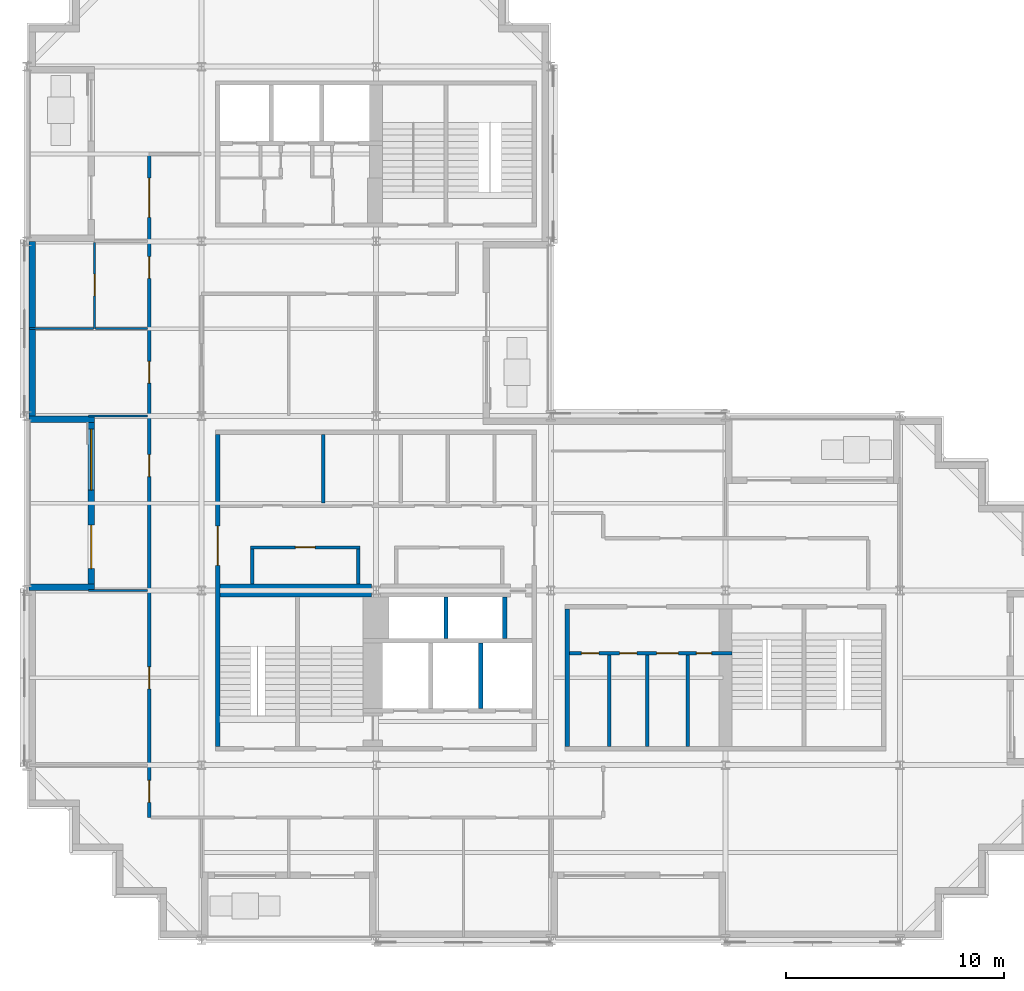
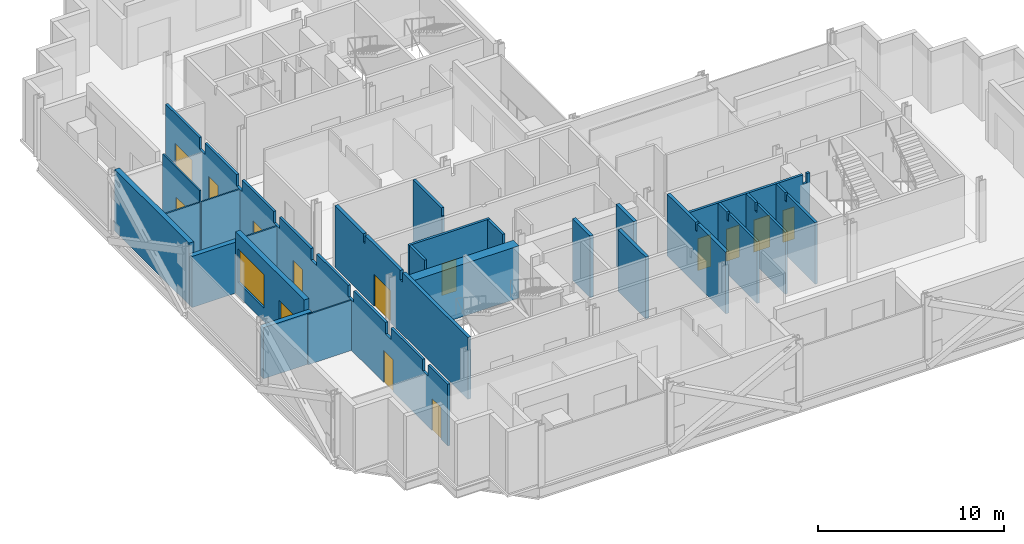
# One storey, part 5 of 12: 24 walls, 14 doors, 1 window, 15 openings.
"""IFC4 building model written with IfcOpenShell, lengths in metres."""

from ifc_helpers import new_model, si_unit, direction, frame, frame_2d, origin, place, context, subcontext, project, spatial, polyline, rectangle, outline, extrude, material, layer, layer_set, type_object, element, fill, save


model = new_model("IFC4")

# Units and contexts
model_context = context("Model", 3, precision=1e-05, world=origin(), true_north=direction((0.0, 1.0)))
body_context = subcontext(model_context, "Body", "Model", "MODEL_VIEW")
ifc_project = project(units=[si_unit("LENGTHUNIT", "METRE"), si_unit("AREAUNIT", "SQUARE_METRE"), si_unit("VOLUMEUNIT", "CUBIC_METRE"), si_unit("PLANEANGLEUNIT", "RADIAN"), si_unit("MASSUNIT", "GRAM", prefix="KILO")], contexts=[model_context])

# Site, building, storey
site_placement = place(None, origin())
site = spatial("IfcSite", under=ifc_project, at=site_placement, CompositionType="ELEMENT")
building_placement = place(site_placement, origin())
building = spatial("IfcBuilding", under=site, at=building_placement, Name="Immortelle Media Tower", CompositionType="ELEMENT")
storey_placement = place(building_placement, frame((0.0, 0.0, 124.199951171875)))
storey = spatial("IfcBuildingStorey", under=building, at=storey_placement, Name="L24", CompositionType="ELEMENT", Elevation=124.199951171875)

# Wall
ifc_material_1 = material(Name="Fire-rated gypsum board", Category="gypsum")
ifc_layer_1 = layer(ifc_material_1, 0.02490234375)
ifc_material_2 = material(Name="Steel ASTM A653 SS Gr 50 stud frame with mineral wool", Category="steel")
ifc_layer_2 = layer(ifc_material_2, 0.10009765625)
ifc_layer_3 = layer(ifc_material_1, 0.02490234375)
ifc_layer_set_1 = layer_set([ifc_layer_1, ifc_layer_2, ifc_layer_3], Name="Steel ASTM A653 SS Gr 50 stud frame with mineral wool")
wall_type_1 = type_object("IfcWallType", Name="Core partition 150", PredefinedType="PARTITIONING", material=ifc_layer_set_1)
wall_1_placement = place(storey_placement, frame((10.324951171875, 16.300048828125, 0.0), z_axis=(0.0, 0.0, 1.0), x_axis=(0.0, 1.0, 0.0)))
element("IfcWall", 1, at=wall_1_placement, inside=storey, type_object=wall_type_1, Name="Core partition SW", PredefinedType="PARTITIONING", context=body_context, shape_type="SweptSolid", body=[
    extrude(rectangle(XDim=1.599853515625, YDim=0.14990234375, at=frame_2d((0.7998046875, 0.0))), origin(), (0.0, 0.0, 1.0), 4.050048828125),
])

# Wall, opening, door
wall_2_placement = place(storey_placement, frame((10.25, 17.97509765625, 0.0), z_axis=(0.0, 0.0, 1.0), x_axis=(1.0, 0.0, 0.0)))
wall_2 = element("IfcWall", 2, at=wall_2_placement, inside=storey, type_object=wall_type_1, Name="Core partition SW", PredefinedType="PARTITIONING", context=body_context, shape_type="SweptSolid", body=[
    extrude(rectangle(XDim=5.0, YDim=0.14990234375, at=frame_2d((2.5, 0.0))), origin(), (0.0, 0.0, 1.0), 4.050048828125),
])
opening_1_placement = place(wall_2_placement, frame((2.949951171875, 0.0, 0.0), z_axis=(0.0, 0.0, 1.0), x_axis=(-1.0, 0.0, 0.0)))
opening_1 = element("IfcOpeningElement", 3, at=opening_1_placement, cuts=wall_2, Name="Opening C1-K004", PredefinedType="OPENING", context=body_context, shape_type="SweptSolid", body=[
    extrude(rectangle(XDim=0.89990234375, YDim=2.10009765625, at=frame_2d((0.449951171875, 1.050048828125))), frame((0.0, 0.0849609375, 0.0), z_axis=(0.0, -1.0, 0.0), x_axis=(1.0, 0.0, 0.0)), (0.0, 0.0, 1.0), 0.169921875),
])
ifc_material_3 = material(Name="Timber", Category="wood")
door_type_1 = type_object("IfcDoorType", Name="Room door 900 x 2100", OperationType="NOTDEFINED", PredefinedType="NOTDEFINED", material=ifc_material_3)
door_1_placement = place(opening_1_placement, origin())
door_1 = element("IfcDoor", 4, at=door_1_placement, inside=storey, type_object=door_type_1, Name="Room C1-K004", OperationType="SINGLE_SWING_LEFT", OverallHeight=2.10009765625, OverallWidth=0.89990234375, PredefinedType="NOTDEFINED", context=body_context, shape_type="SweptSolid", body=[
    extrude(rectangle(XDim=0.89990234375, YDim=2.10009765625, at=frame_2d((0.449951171875, 1.050048828125))), frame((0.0, 0.02490234375, 0.0), z_axis=(0.0, -1.0, 0.0), x_axis=(1.0, 0.0, 0.0)), (0.0, 0.0, 1.0), 0.050048828125),
])
fill(opening_1, door_1)

# Walls
wall_3_placement = place(storey_placement, frame((13.574951171875, 20.0, 0.0), z_axis=(0.0, 0.0, 1.0), x_axis=(0.0, 1.0, 0.0)))
element("IfcWall", 5, at=wall_3_placement, inside=storey, type_object=wall_type_1, Name="Core partition SW", PredefinedType="PARTITIONING", context=body_context, shape_type="SweptSolid", body=[
    extrude(outline(polyline([(0.0, 0.0), (3.14990234375, 0.0), (3.14990234375, 4.050048828125), (0.08740234375, 4.050048828125), (0.08642578125, 3.51806640625), (0.0, 3.51806640625), (0.0, 0.0)])), frame((0.0, 0.074951171875, 0.0), z_axis=(0.0, -1.0, 0.0), x_axis=(1.0, 0.0, 0.0)), (0.0, 0.0, 1.0), 0.14990234375),
])
wall_4_placement = place(storey_placement, frame((15.175048828125, 16.300048828125, 0.0), z_axis=(0.0, 0.0, 1.0), x_axis=(0.0, 1.0, 0.0)))
element("IfcWall", 6, at=wall_4_placement, inside=storey, type_object=wall_type_1, Name="Core partition SW", PredefinedType="PARTITIONING", context=body_context, shape_type="SweptSolid", body=[
    extrude(rectangle(XDim=1.599853515625, YDim=0.14990234375, at=frame_2d((0.7998046875, 0.0))), origin(), (0.0, 0.0, 1.0), 4.050048828125),
])

# Wall, openings, doors
wall_5_placement = place(storey_placement, frame((24.85009765625, 13.125, 0.0), z_axis=(0.0, 0.0, 1.0), x_axis=(1.0, 0.0, 0.0)))
wall_5 = element("IfcWall", 7, at=wall_5_placement, inside=storey, type_object=wall_type_1, Name="Core partition SE", PredefinedType="PARTITIONING", context=body_context, shape_type="SweptSolid", body=[
    extrude(outline(polyline([(0.0, 0.0), (7.449951171875, 0.0), (7.449951171875, 4.050048828125), (7.26953125, 4.050048828125), (7.2685546875, 3.43212890625), (7.031494140625, 3.43212890625), (7.030517578125, 4.050048828125), (0.0, 4.050048828125), (0.0, 0.0)])), frame((0.0, 0.074951171875, 0.0), z_axis=(0.0, -1.0, 0.0), x_axis=(1.0, 0.0, 0.0)), (0.0, 0.0, 1.0), 0.14990234375),
])
opening_2_placement = place(wall_5_placement, frame((1.35009765625, 0.0, 0.0), z_axis=(0.0, 0.0, 1.0), x_axis=(-1.0, 0.0, 0.0)))
opening_2 = element("IfcOpeningElement", 8, at=opening_2_placement, cuts=wall_5, Name="Opening C1-K018", PredefinedType="OPENING", context=body_context, shape_type="SweptSolid", body=[
    extrude(rectangle(XDim=0.800048828125, YDim=2.10009765625, at=frame_2d((0.39990234375, 1.050048828125))), frame((0.0, 0.0849609375, 0.0), z_axis=(0.0, -1.0, 0.0), x_axis=(1.0, 0.0, 0.0)), (0.0, 0.0, 1.0), 0.169921875),
])
opening_3_placement = place(wall_5_placement, frame((3.10009765625, 0.0, 0.0), z_axis=(0.0, 0.0, 1.0), x_axis=(-1.0, 0.0, 0.0)))
opening_3 = element("IfcOpeningElement", 9, at=opening_3_placement, cuts=wall_5, Name="Opening C1-K019", PredefinedType="OPENING", context=body_context, shape_type="SweptSolid", body=[
    extrude(rectangle(XDim=0.800048828125, YDim=2.10009765625, at=frame_2d((0.39990234375, 1.050048828125))), frame((0.0, 0.0849609375, 0.0), z_axis=(0.0, -1.0, 0.0), x_axis=(1.0, 0.0, 0.0)), (0.0, 0.0, 1.0), 0.169921875),
])
opening_4_placement = place(wall_5_placement, frame((5.0, 0.0, 0.0), z_axis=(0.0, 0.0, 1.0), x_axis=(-1.0, 0.0, 0.0)))
opening_4 = element("IfcOpeningElement", 10, at=opening_4_placement, cuts=wall_5, Name="Opening C1-K021", PredefinedType="OPENING", context=body_context, shape_type="SweptSolid", body=[
    extrude(rectangle(XDim=1.0, YDim=2.10009765625, at=frame_2d((0.5, 1.050048828125))), frame((0.0, 0.0849609375, 0.0), z_axis=(0.0, -1.0, 0.0), x_axis=(1.0, 0.0, 0.0)), (0.0, 0.0, 1.0), 0.169921875),
])
opening_5_placement = place(wall_5_placement, frame((6.52490234375, 0.0, 0.0), z_axis=(0.0, 0.0, 1.0), x_axis=(-1.0, 0.0, 0.0)))
opening_5 = element("IfcOpeningElement", 11, at=opening_5_placement, cuts=wall_5, Name="Opening C1-K022", PredefinedType="OPENING", context=body_context, shape_type="SweptSolid", body=[
    extrude(rectangle(XDim=0.699951171875, YDim=2.10009765625, at=frame_2d((0.35009765625, 1.050048828125))), frame((0.0, 0.0849609375, 0.0), z_axis=(0.0, -1.0, 0.0), x_axis=(1.0, 0.0, 0.0)), (0.0, 0.0, 1.0), 0.169921875),
])
door_type_2 = type_object("IfcDoorType", Name="Accessible toilet door 1000 x 2100", OperationType="NOTDEFINED", PredefinedType="NOTDEFINED", material=ifc_material_3)
door_2_placement = place(opening_4_placement, origin())
door_2 = element("IfcDoor", 12, at=door_2_placement, inside=storey, type_object=door_type_2, Name="Accessible toilet C1-K021", OperationType="SINGLE_SWING_LEFT", OverallHeight=2.10009765625, OverallWidth=1.0, PredefinedType="NOTDEFINED", context=body_context, shape_type="SweptSolid", body=[
    extrude(rectangle(XDim=1.0, YDim=2.10009765625, at=frame_2d((0.5, 1.050048828125))), frame((0.0, 0.02490234375, 0.0), z_axis=(0.0, -1.0, 0.0), x_axis=(1.0, 0.0, 0.0)), (0.0, 0.0, 1.0), 0.050048828125),
])
fill(opening_4, door_2)
ifc_material_4 = material(Name="Galvanised steel door leaf and frame ASTM A653", Category="steel")
door_type_3 = type_object("IfcDoorType", Name="Service door 700 x 2100", OperationType="NOTDEFINED", PredefinedType="NOTDEFINED", material=ifc_material_4)
door_3_placement = place(opening_5_placement, origin())
door_3 = element("IfcDoor", 13, at=door_3_placement, inside=storey, type_object=door_type_3, Name="Service C1-K022", OperationType="SINGLE_SWING_RIGHT", OverallHeight=2.10009765625, OverallWidth=0.699951171875, PredefinedType="NOTDEFINED", context=body_context, shape_type="SweptSolid", body=[
    extrude(rectangle(XDim=0.699951171875, YDim=2.10009765625, at=frame_2d((0.35009765625, 1.050048828125))), frame((0.0, 0.02490234375, 0.0), z_axis=(0.0, -1.0, 0.0), x_axis=(1.0, 0.0, 0.0)), (0.0, 0.0, 1.0), 0.050048828125),
])
fill(opening_5, door_3)
door_type_4 = type_object("IfcDoorType", Name="Toilet door 800 x 2100", OperationType="NOTDEFINED", PredefinedType="NOTDEFINED", material=ifc_material_3)
door_4_placement = place(opening_2_placement, origin())
door_4 = element("IfcDoor", 14, at=door_4_placement, inside=storey, type_object=door_type_4, Name="Toilet C1-K018", OperationType="SINGLE_SWING_LEFT", OverallHeight=2.10009765625, OverallWidth=0.800048828125, PredefinedType="NOTDEFINED", context=body_context, shape_type="SweptSolid", body=[
    extrude(rectangle(XDim=0.800048828125, YDim=2.10009765625, at=frame_2d((0.39990234375, 1.050048828125))), frame((0.0, 0.02490234375, 0.0), z_axis=(0.0, -1.0, 0.0), x_axis=(1.0, 0.0, 0.0)), (0.0, 0.0, 1.0), 0.050048828125),
])
fill(opening_2, door_4)
door_5_placement = place(opening_3_placement, origin())
door_5 = element("IfcDoor", 15, at=door_5_placement, inside=storey, type_object=door_type_4, Name="Toilet C1-K019", OperationType="SINGLE_SWING_RIGHT", OverallHeight=2.10009765625, OverallWidth=0.800048828125, PredefinedType="NOTDEFINED", context=body_context, shape_type="SweptSolid", body=[
    extrude(rectangle(XDim=0.800048828125, YDim=2.10009765625, at=frame_2d((0.39990234375, 1.050048828125))), frame((0.0, 0.02490234375, 0.0), z_axis=(0.0, -1.0, 0.0), x_axis=(1.0, 0.0, 0.0)), (0.0, 0.0, 1.0), 0.050048828125),
])
fill(opening_3, door_5)

# Walls
for number, where, z_axis, x_axis, name in (
    (16, (26.675048828125, 8.85009765625, 0.0), (0.0, 0.0, 1.0), (0.0, 1.0, 0.0), "Core partition SE"),
    (17, (28.425048828125, 8.85009765625, 0.0), (0.0, 0.0, 1.0), (0.0, 1.0, 0.0), "Core partition SE"),
    (18, (30.27490234375, 8.85009765625, 0.0), (0.0, 0.0, 1.0), (0.0, 1.0, 0.0), "Core partition SE"),
):
    element("IfcWall", number, at=place(storey_placement, frame(where, z_axis=z_axis, x_axis=x_axis)), inside=storey, type_object=wall_type_1, Name=name, PredefinedType="PARTITIONING", context=body_context, shape_type="SweptSolid", body=[
        extrude(outline(polyline([(0.0, 0.0), (4.199951171875, 0.0), (4.199951171875, 4.050048828125), (3.237548828125, 4.050048828125), (3.236572265625, 3.51806640625), (3.0634765625, 3.51806640625), (3.0625, 4.050048828125), (0.0, 4.050048828125), (0.0, 0.0)])), frame((0.0, 0.074951171875, 0.0), z_axis=(0.0, -1.0, 0.0), x_axis=(1.0, 0.0, 0.0)), (0.0, 0.0, 1.0), 0.14990234375),
    ])
ifc_layer_4 = layer(ifc_material_1, 0.03759765625)
ifc_layer_5 = layer(ifc_material_2, 0.125)
ifc_layer_6 = layer(ifc_material_1, 0.03759765625)
ifc_layer_set_2 = layer_set([ifc_layer_4, ifc_layer_5, ifc_layer_6], Name="Steel ASTM A653 SS Gr 50 stud frame with mineral wool")
wall_type_2 = type_object("IfcWallType", Name="Core shaft wall 200", PredefinedType="PARTITIONING", material=ifc_layer_set_2)
wall_6_placement = place(storey_placement, frame((19.199951171875, 13.800048828125, 0.0), z_axis=(0.0, 0.0, 1.0), x_axis=(0.0, 1.0, 0.0)))
element("IfcWall", 19, at=wall_6_placement, inside=storey, type_object=wall_type_2, Name="Core shaft wall SW", PredefinedType="PARTITIONING", context=body_context, shape_type="SweptSolid", body=[
    extrude(rectangle(XDim=1.89990234375, YDim=0.199951171875, at=frame_2d((0.949951171875, 0.0))), origin(), (0.0, 0.0, 1.0), 4.050048828125),
])
wall_7_placement = place(storey_placement, frame((20.800048828125, 10.60009765625, 0.0), z_axis=(0.0, 0.0, 1.0), x_axis=(0.0, 1.0, 0.0)))
element("IfcWall", 20, at=wall_7_placement, inside=storey, type_object=wall_type_2, Name="Core shaft wall SW", PredefinedType="PARTITIONING", context=body_context, shape_type="SweptSolid", body=[
    extrude(rectangle(XDim=3.0, YDim=0.199951171875, at=frame_2d((1.5, 0.0))), origin(), (0.0, 0.0, 1.0), 4.050048828125),
])
wall_8_placement = place(storey_placement, frame((21.89990234375, 13.800048828125, 0.0), z_axis=(0.0, 0.0, 1.0), x_axis=(0.0, 1.0, 0.0)))
element("IfcWall", 21, at=wall_8_placement, inside=storey, type_object=wall_type_2, Name="Core shaft wall SW", PredefinedType="PARTITIONING", context=body_context, shape_type="SweptSolid", body=[
    extrude(rectangle(XDim=1.89990234375, YDim=0.199951171875, at=frame_2d((0.949951171875, 0.0))), origin(), (0.0, 0.0, 1.0), 4.050048828125),
])
wall_9_placement = place(storey_placement, frame((24.75, 8.85009765625, 0.0), z_axis=(0.0, 0.0, 1.0), x_axis=(0.0, 1.0, 0.0)))
element("IfcWall", 22, at=wall_9_placement, inside=storey, type_object=wall_type_2, Name="Core shaft wall SE", PredefinedType="PARTITIONING", context=body_context, shape_type="SweptSolid", body=[
    extrude(outline(polyline([(0.0, 0.0), (6.2998046875, 0.0), (6.300048828125, 4.050048828125), (3.237548828125, 4.050048828125), (3.236572265625, 3.51806640625), (3.0634765625, 3.51806640625), (3.0625, 4.050048828125), (0.0, 4.050048828125), (0.0, 0.0)])), frame((0.0, 0.10009765625, 0.0), z_axis=(0.0, -1.0, 0.0), x_axis=(1.0, 0.0, 0.0)), (0.0, 0.0, 1.0), 0.199951171875),
])

# Wall, openings, doors
ifc_layer_7 = layer(ifc_material_1, 0.012451171875)
ifc_layer_8 = layer(ifc_material_2, 0.125)
ifc_layer_9 = layer(ifc_material_1, 0.012451171875)
ifc_layer_set_3 = layer_set([ifc_layer_7, ifc_layer_8, ifc_layer_9], Name="Steel ASTM A653 SS Gr 50 stud frame with mineral wool")
wall_type_3 = type_object("IfcWallType", Name="Corridor wall 150", PredefinedType="PARTITIONING", material=ifc_layer_set_3)
wall_10_placement = place(storey_placement, frame((5.60009765625, 5.60009765625, 0.0), z_axis=(0.0, 0.0, 1.0), x_axis=(0.0, 1.0, 0.0)))
wall_10 = element("IfcWall", 23, at=wall_10_placement, inside=storey, type_object=wall_type_3, Name="Partition L24-007", PredefinedType="PARTITIONING", context=body_context, shape_type="SweptSolid", body=[
    extrude(outline(polyline([(0.0, 0.0), (30.324951171875, 0.0), (30.324951171875, 4.050048828125), (26.699951171875, 4.050048828125), (26.697998046875, 3.2880859375), (26.10205078125, 3.2880859375), (26.10009765625, 4.050048828125), (22.699951171875, 4.050048828125), (22.697998046875, 3.2880859375), (22.10205078125, 3.2880859375), (22.10009765625, 4.050048828125), (18.699951171875, 4.050048828125), (18.697998046875, 3.2880859375), (18.10205078125, 3.2880859375), (18.10009765625, 4.050048828125), (14.699951171875, 4.050048828125), (14.697998046875, 3.2880859375), (14.10205078125, 3.2880859375), (14.10009765625, 4.050048828125), (10.699951171875, 4.050048828125), (10.697998046875, 3.2880859375), (10.10205078125, 3.2880859375), (10.10009765625, 4.050048828125), (6.699951171875, 4.050048828125), (6.697998046875, 3.2880859375), (6.10205078125, 3.2880859375), (6.10009765625, 4.050048828125), (2.699951171875, 4.050048828125), (2.697998046875, 3.2880859375), (2.10205078125, 3.2880859375), (2.10009765625, 4.050048828125), (0.0, 4.050048828125), (0.0, 0.0)])), frame((0.0, 0.074951171875, 0.0), z_axis=(0.0, -1.0, 0.0), x_axis=(1.0, 0.0, 0.0)), (0.0, 0.0, 1.0), 0.14990234375),
])
opening_6_placement = place(wall_10_placement, frame((0.699951171875, 0.0, 0.0)))
opening_6 = element("IfcOpeningElement", 24, at=opening_6_placement, cuts=wall_10, Name="Opening C1-F005", PredefinedType="OPENING", context=body_context, shape_type="SweptSolid", body=[
    extrude(rectangle(XDim=1.0, YDim=2.10009765625, at=frame_2d((0.5, 1.050048828125))), frame((0.0, 0.0849609375, 0.0), z_axis=(0.0, -1.0, 0.0), x_axis=(1.0, 0.0, 0.0)), (0.0, 0.0, 1.0), 0.169921875),
])
opening_7_placement = place(wall_10_placement, frame((6.89990234375, 0.0, 0.0), z_axis=(0.0, 0.0, 1.0), x_axis=(-1.0, 0.0, 0.0)))
opening_7 = element("IfcOpeningElement", 25, at=opening_7_placement, cuts=wall_10, Name="Opening C1-F007", PredefinedType="OPENING", context=body_context, shape_type="SweptSolid", body=[
    extrude(rectangle(XDim=1.0, YDim=2.10009765625, at=frame_2d((0.5, 1.050048828125))), frame((0.0, 0.0849609375, 0.0), z_axis=(0.0, -1.0, 0.0), x_axis=(1.0, 0.0, 0.0)), (0.0, 0.0, 1.0), 0.169921875),
])
opening_8_placement = place(wall_10_placement, frame((15.625, 0.0, 0.0)))
opening_8 = element("IfcOpeningElement", 26, at=opening_8_placement, cuts=wall_10, Name="Opening C1-F009", PredefinedType="OPENING", context=body_context, shape_type="SweptSolid", body=[
    extrude(rectangle(XDim=1.0, YDim=2.10009765625, at=frame_2d((0.5, 1.050048828125))), frame((0.0, 0.0849609375, 0.0), z_axis=(0.0, -1.0, 0.0), x_axis=(1.0, 0.0, 0.0)), (0.0, 0.0, 1.0), 0.169921875),
])
opening_9_placement = place(wall_10_placement, frame((19.89990234375, 0.0, 0.0)))
opening_9 = element("IfcOpeningElement", 27, at=opening_9_placement, cuts=wall_10, Name="Opening C1-F015", PredefinedType="OPENING", context=body_context, shape_type="SweptSolid", body=[
    extrude(rectangle(XDim=1.0, YDim=2.10009765625, at=frame_2d((0.5, 1.050048828125))), frame((0.0, 0.0849609375, 0.0), z_axis=(0.0, -1.0, 0.0), x_axis=(1.0, 0.0, 0.0)), (0.0, 0.0, 1.0), 0.169921875),
])
opening_10_placement = place(wall_10_placement, frame((24.699951171875, 0.0, 0.0)))
opening_10 = element("IfcOpeningElement", 28, at=opening_10_placement, cuts=wall_10, Name="Opening C1-F016", PredefinedType="OPENING", context=body_context, shape_type="SweptSolid", body=[
    extrude(rectangle(XDim=1.0, YDim=2.10009765625, at=frame_2d((0.5, 1.050048828125))), frame((0.0, 0.0849609375, 0.0), z_axis=(0.0, -1.0, 0.0), x_axis=(1.0, 0.0, 0.0)), (0.0, 0.0, 1.0), 0.169921875),
])
opening_11_placement = place(wall_10_placement, frame((27.5, 0.0, 0.0)))
opening_11 = element("IfcOpeningElement", 29, at=opening_11_placement, cuts=wall_10, Name="Opening C1-F018", PredefinedType="OPENING", context=body_context, shape_type="SweptSolid", body=[
    extrude(rectangle(XDim=1.800048828125, YDim=2.10009765625, at=frame_2d((0.89990234375, 1.050048828125))), frame((0.0, 0.0849609375, 0.0), z_axis=(0.0, -1.0, 0.0), x_axis=(1.0, 0.0, 0.0)), (0.0, 0.0, 1.0), 0.169921875),
])
ifc_material_5 = material(Name="Timber veneered door leaf, galvanised steel frame ASTM A653", Category="steel")
door_type_5 = type_object("IfcDoorType", Name="Room door 1000 x 2100", OperationType="NOTDEFINED", PredefinedType="DOOR", material=ifc_material_5)
door_6_placement = place(opening_6_placement, origin())
door_6 = element("IfcDoor", 30, at=door_6_placement, inside=storey, type_object=door_type_5, Name="Door C1-F005", OperationType="SINGLE_SWING_RIGHT", OverallHeight=2.10009765625, OverallWidth=1.0, PredefinedType="DOOR", context=body_context, shape_type="SweptSolid", body=[
    extrude(rectangle(XDim=1.0, YDim=2.10009765625, at=frame_2d((0.5, 1.050048828125))), frame((0.0, 0.02490234375, 0.0), z_axis=(0.0, -1.0, 0.0), x_axis=(1.0, 0.0, 0.0)), (0.0, 0.0, 1.0), 0.050048828125),
])
fill(opening_6, door_6)
door_7_placement = place(opening_7_placement, origin())
door_7 = element("IfcDoor", 31, at=door_7_placement, inside=storey, type_object=door_type_5, Name="Door C1-F007", OperationType="SINGLE_SWING_RIGHT", OverallHeight=2.10009765625, OverallWidth=1.0, PredefinedType="DOOR", context=body_context, shape_type="SweptSolid", body=[
    extrude(rectangle(XDim=1.0, YDim=2.10009765625, at=frame_2d((0.5, 1.050048828125))), frame((0.0, 0.02490234375, 0.0), z_axis=(0.0, -1.0, 0.0), x_axis=(1.0, 0.0, 0.0)), (0.0, 0.0, 1.0), 0.050048828125),
])
fill(opening_7, door_7)
door_8_placement = place(opening_8_placement, origin())
door_8 = element("IfcDoor", 32, at=door_8_placement, inside=storey, type_object=door_type_5, Name="Door C1-F009", OperationType="SINGLE_SWING_RIGHT", OverallHeight=2.10009765625, OverallWidth=1.0, PredefinedType="DOOR", context=body_context, shape_type="SweptSolid", body=[
    extrude(rectangle(XDim=1.0, YDim=2.10009765625, at=frame_2d((0.5, 1.050048828125))), frame((0.0, 0.02490234375, 0.0), z_axis=(0.0, -1.0, 0.0), x_axis=(1.0, 0.0, 0.0)), (0.0, 0.0, 1.0), 0.050048828125),
])
fill(opening_8, door_8)
door_9_placement = place(opening_9_placement, origin())
door_9 = element("IfcDoor", 33, at=door_9_placement, inside=storey, type_object=door_type_5, Name="Door C1-F015", OperationType="SINGLE_SWING_LEFT", OverallHeight=2.10009765625, OverallWidth=1.0, PredefinedType="DOOR", context=body_context, shape_type="SweptSolid", body=[
    extrude(rectangle(XDim=1.0, YDim=2.10009765625, at=frame_2d((0.5, 1.050048828125))), frame((0.0, 0.02490234375, 0.0), z_axis=(0.0, -1.0, 0.0), x_axis=(1.0, 0.0, 0.0)), (0.0, 0.0, 1.0), 0.050048828125),
])
fill(opening_9, door_9)
door_10_placement = place(opening_10_placement, origin())
door_10 = element("IfcDoor", 34, at=door_10_placement, inside=storey, type_object=door_type_5, Name="Door C1-F016", OperationType="SINGLE_SWING_RIGHT", OverallHeight=2.10009765625, OverallWidth=1.0, PredefinedType="DOOR", context=body_context, shape_type="SweptSolid", body=[
    extrude(rectangle(XDim=1.0, YDim=2.10009765625, at=frame_2d((0.5, 1.050048828125))), frame((0.0, 0.02490234375, 0.0), z_axis=(0.0, -1.0, 0.0), x_axis=(1.0, 0.0, 0.0)), (0.0, 0.0, 1.0), 0.050048828125),
])
fill(opening_10, door_10)
door_type_6 = type_object("IfcDoorType", Name="Room door 1800 x 2100", OperationType="DOUBLE_DOOR_SINGLE_SWING", PredefinedType="DOOR", material=ifc_material_5)
door_11_placement = place(opening_11_placement, origin())
door_11 = element("IfcDoor", 35, at=door_11_placement, inside=storey, type_object=door_type_6, Name="Door C1-F018", OperationType="DOUBLE_DOOR_SINGLE_SWING", OverallHeight=2.10009765625, OverallWidth=1.800048828125, PredefinedType="DOOR", context=body_context, shape_type="SweptSolid", body=[
    extrude(rectangle(XDim=1.800048828125, YDim=2.10009765625, at=frame_2d((0.89990234375, 1.050048828125))), frame((0.0, 0.02490234375, 0.0), z_axis=(0.0, -1.0, 0.0), x_axis=(1.0, 0.0, 0.0)), (0.0, 0.0, 1.0), 0.050048828125),
])
fill(opening_11, door_11)

# Wall
ifc_material_6 = material(Name="Pale aluminium cladding panel", Category="aluminium")
ifc_layer_10 = layer(ifc_material_6, 0.030029296875)
ifc_layer_11 = layer(ifc_material_2, 0.257568359375)
ifc_material_7 = material(Name="Moisture-resistant gypsum board", Category="gypsum")
ifc_layer_12 = layer(ifc_material_7, 0.012451171875)
ifc_layer_set_4 = layer_set([ifc_layer_10, ifc_layer_11, ifc_layer_12], Name="Steel ASTM A653 SS Gr 50 stud frame with mineral wool")
wall_type_4 = type_object("IfcWallType", Name="Facade wall 300", PredefinedType="SOLIDWALL", material=ifc_layer_set_4)
wall_11_placement = place(storey_placement, frame((0.25, 32.0, 0.0), z_axis=(0.0, 0.0, 1.0), x_axis=(0.0, -1.0, 0.0)))
element("IfcWall", 36, at=wall_11_placement, inside=storey, type_object=wall_type_4, Name="Facade wall L24 W35", PredefinedType="SOLIDWALL", context=body_context, shape_type="SweptSolid", body=[
    extrude(rectangle(XDim=8.0, YDim=0.300048828125, at=frame_2d((4.0, 0.0))), origin(), (0.0, 0.0, 1.0), 4.050048828125),
])

# Wall, openings, door, window
wall_12_placement = place(storey_placement, frame((2.949951171875, 23.699951171875, 0.0), z_axis=(0.0, 0.0, 1.0), x_axis=(0.0, -1.0, 0.0)))
wall_12 = element("IfcWall", 37, at=wall_12_placement, inside=storey, type_object=wall_type_4, Name="Loggia wall L24 W35", PredefinedType="SOLIDWALL", context=body_context, shape_type="SweptSolid", body=[
    extrude(rectangle(XDim=7.39990234375, YDim=0.300048828125, at=frame_2d((3.699951171875, 0.0))), origin(), (0.0, 0.0, 1.0), 4.050048828125),
])
opening_12_placement = place(wall_12_placement, frame((0.300048828125, 0.0, 0.89990234375)))
opening_12 = element("IfcOpeningElement", 38, at=opening_12_placement, cuts=wall_12, Name="Opening W1", PredefinedType="OPENING", context=body_context, shape_type="SweptSolid", body=[
    extrude(rectangle(XDim=2.800048828125, YDim=2.199951171875, at=frame_2d((1.39990234375, 1.10009765625))), frame((0.0, 0.159912109375, 0.0), z_axis=(0.0, -1.0, 0.0), x_axis=(1.0, 0.0, 0.0)), (0.0, 0.0, 1.0), 0.320068359375),
])
opening_13_placement = place(wall_12_placement, frame((4.699951171875, 0.0, 0.0)))
opening_13 = element("IfcOpeningElement", 39, at=opening_13_placement, cuts=wall_12, Name="Opening C1-E008", PredefinedType="OPENING", context=body_context, shape_type="SweptSolid", body=[
    extrude(rectangle(XDim=2.0, YDim=2.39990234375, at=frame_2d((1.0, 1.199951171875))), frame((0.0, 0.159912109375, 0.0), z_axis=(0.0, -1.0, 0.0), x_axis=(1.0, 0.0, 0.0)), (0.0, 0.0, 1.0), 0.320068359375),
])
ifc_material_8 = material(Name="Aluminium frame, glazed leaves", Category="aluminium")
door_type_7 = type_object("IfcDoorType", Name="Loggia door 2000 x 2400", OperationType="DOUBLE_DOOR_SINGLE_SWING", PredefinedType="DOOR", material=ifc_material_8)
door_12_placement = place(opening_13_placement, origin())
door_12 = element("IfcDoor", 40, at=door_12_placement, inside=storey, type_object=door_type_7, Name="Door C1-E008", OperationType="DOUBLE_DOOR_SINGLE_SWING", OverallHeight=2.39990234375, OverallWidth=2.0, PredefinedType="DOOR", context=body_context, shape_type="SweptSolid", body=[
    extrude(rectangle(XDim=2.0, YDim=2.39990234375, at=frame_2d((1.0, 1.199951171875))), frame((0.0, 0.02490234375, 0.0), z_axis=(0.0, -1.0, 0.0), x_axis=(1.0, 0.0, 0.0)), (0.0, 0.0, 1.0), 0.050048828125),
])
fill(opening_13, door_12)
ifc_material_9 = material(Name="Aluminium frame", Category="aluminium")
window_type = type_object("IfcWindowType", Name="Window 2800 x 2200", PartitioningType="SINGLE_PANEL", PredefinedType="WINDOW", material=ifc_material_9)
window_placement = place(opening_12_placement, origin())
window = element("IfcWindow", 41, at=window_placement, inside=storey, type_object=window_type, Name="Window L24 L24-R35-B2", OverallHeight=2.199951171875, OverallWidth=2.800048828125, PartitioningType="SINGLE_PANEL", PredefinedType="WINDOW", context=body_context, shape_type="SweptSolid", body=[
    extrude(rectangle(XDim=2.800048828125, YDim=2.199951171875, at=frame_2d((1.39990234375, 1.10009765625))), frame((0.0, 0.030029296875, 0.0), z_axis=(0.0, -1.0, 0.0), x_axis=(1.0, 0.0, 0.0)), (0.0, 0.0, 1.0), 0.06005859375),
])
fill(opening_12, window)

# Walls
for number, where, z_axis, x_axis, name in (
    (42, (0.10009765625, 23.85009765625, 0.0), (0.0, 0.0, 1.0), (1.0, 0.0, 0.0), "Loggia cheek wall L24 W"),
    (43, (0.10009765625, 16.14990234375, 0.0), (0.0, 0.0, 1.0), (1.0, 0.0, 0.0), "Loggia cheek wall L24 W"),
):
    element("IfcWall", number, at=place(storey_placement, frame(where, z_axis=z_axis, x_axis=x_axis)), inside=storey, type_object=wall_type_4, Name=name, PredefinedType="SOLIDWALL", context=body_context, shape_type="SweptSolid", body=[
        extrude(rectangle(XDim=3.0, YDim=0.300048828125, at=frame_2d((1.5, 0.0))), origin(), (0.0, 0.0, 1.0), 3.35595703125),
    ])
ifc_material_10 = material(Name="Gypsum board", Category="gypsum")
ifc_layer_13 = layer(ifc_material_10, 0.012451171875)
ifc_layer_14 = layer(ifc_material_2, 0.074951171875)
ifc_layer_15 = layer(ifc_material_10, 0.012451171875)
ifc_layer_set_5 = layer_set([ifc_layer_13, ifc_layer_14, ifc_layer_15], Name="Steel ASTM A653 SS Gr 50 stud frame with mineral wool")
wall_type_5 = type_object("IfcWallType", Name="Partition 100", PredefinedType="PARTITIONING", material=ifc_layer_set_5)
for number, where, z_axis, x_axis, name in (
    (44, (2.830078125, 16.0, 0.0), (0.0, 0.0, 1.0), (1.0, 0.0, 0.0), "Partition L24-010"),
    (45, (2.830078125, 24.0, 0.0), (0.0, 0.0, 1.0), (1.0, 0.0, 0.0), "Partition L24-018"),
):
    element("IfcWall", number, at=place(storey_placement, frame(where, z_axis=z_axis, x_axis=x_axis)), inside=storey, type_object=wall_type_5, Name=name, PredefinedType="PARTITIONING", context=body_context, shape_type="SweptSolid", body=[
        extrude(rectangle(XDim=2.69482421875, YDim=0.10009765625, at=frame_2d((1.347412109375, 0.0))), origin(), (0.0, 0.0, 1.0), 3.2880859375),
    ])
wall_13_placement = place(storey_placement, frame((0.1298828125, 28.0, 0.0), z_axis=(0.0, 0.0, 1.0), x_axis=(1.0, 0.0, 0.0)))
element("IfcWall", 46, at=wall_13_placement, inside=storey, type_object=wall_type_5, Name="Partition L24-022", PredefinedType="PARTITIONING", context=body_context, shape_type="SweptSolid", body=[
    extrude(rectangle(XDim=2.920166015625, YDim=0.10009765625, at=frame_2d((1.4599609375, 0.0))), origin(), (0.0, 0.0, 1.0), 3.2880859375),
])
wall_14_placement = place(storey_placement, frame((3.14990234375, 28.0, 0.0), z_axis=(0.0, 0.0, 1.0), x_axis=(1.0, 0.0, 0.0)))
element("IfcWall", 47, at=wall_14_placement, inside=storey, type_object=wall_type_5, Name="Partition L24-023", PredefinedType="PARTITIONING", context=body_context, shape_type="SweptSolid", body=[
    extrude(rectangle(XDim=2.375, YDim=0.10009765625, at=frame_2d((1.1875, 0.0))), origin(), (0.0, 0.0, 1.0), 3.2880859375),
])

# Wall, opening, door
wall_15_placement = place(storey_placement, frame((3.10009765625, 28.0, 0.0), z_axis=(0.0, 0.0, 1.0), x_axis=(0.0, 1.0, 0.0)))
wall_15 = element("IfcWall", 48, at=wall_15_placement, inside=storey, type_object=wall_type_5, Name="Partition L24-024", PredefinedType="PARTITIONING", context=body_context, shape_type="SweptSolid", body=[
    extrude(rectangle(XDim=3.949951171875, YDim=0.10009765625, at=frame_2d((1.97509765625, 0.0))), origin(), (0.0, 0.0, 1.0), 4.050048828125),
])
opening_14_placement = place(wall_15_placement, frame((2.5, 0.0, 0.0), z_axis=(0.0, 0.0, 1.0), x_axis=(-1.0, 0.0, 0.0)))
opening_14 = element("IfcOpeningElement", 49, at=opening_14_placement, cuts=wall_15, Name="Opening C1-F017", PredefinedType="OPENING", context=body_context, shape_type="SweptSolid", body=[
    extrude(rectangle(XDim=1.0, YDim=2.10009765625, at=frame_2d((0.5, 1.050048828125))), frame((0.0, 0.06005859375, 0.0), z_axis=(0.0, -1.0, 0.0), x_axis=(1.0, 0.0, 0.0)), (0.0, 0.0, 1.0), 0.1201171875),
])
door_13_placement = place(opening_14_placement, origin())
door_13 = element("IfcDoor", 50, at=door_13_placement, inside=storey, type_object=door_type_5, Name="Door C1-F017", OperationType="SINGLE_SWING_RIGHT", OverallHeight=2.10009765625, OverallWidth=1.0, PredefinedType="DOOR", context=body_context, shape_type="SweptSolid", body=[
    extrude(rectangle(XDim=1.0, YDim=2.10009765625, at=frame_2d((0.5, 1.050048828125))), frame((0.0, 0.02490234375, 0.0), z_axis=(0.0, -1.0, 0.0), x_axis=(1.0, 0.0, 0.0)), (0.0, 0.0, 1.0), 0.050048828125),
])
fill(opening_14, door_13)

ifc_material_11 = material(Name="Concrete C60", Category="concrete")
ifc_layer_16 = layer(ifc_material_11, 0.199951171875)
ifc_layer_set_6 = layer_set([ifc_layer_16], Name="Concrete C60")
wall_type_6 = type_object("IfcWallType", Name="Stair shaft wall 200", PredefinedType="PARTITIONING", material=ifc_layer_set_6)
wall_16_placement = place(storey_placement, frame((8.75, 8.85009765625, 0.0), z_axis=(0.0, 0.0, 1.0), x_axis=(0.0, 1.0, 0.0)))
wall_16 = element("IfcWall", 51, at=wall_16_placement, inside=storey, type_object=wall_type_6, Name="Stair shaft wall SW", PredefinedType="PARTITIONING", context=body_context, shape_type="SweptSolid", body=[
    extrude(outline(polyline([(0.0, 0.0), (14.2998046875, 0.0), (14.300048828125, 4.050048828125), (11.237548828125, 4.050048828125), (11.236572265625, 3.51806640625), (11.0634765625, 3.51806640625), (11.0625, 4.050048828125), (7.26953125, 4.050048828125), (7.2685546875, 3.43212890625), (7.031494140625, 3.43212890625), (7.030517578125, 4.050048828125), (0.0, 4.050048828125), (0.0, 0.0)])), frame((0.0, 0.10009765625, 0.0), z_axis=(0.0, -1.0, 0.0), x_axis=(1.0, 0.0, 0.0)), (0.0, 0.0, 1.0), 0.199951171875),
])
opening_15_placement = place(wall_16_placement, frame((8.300048828125, 0.0, 0.0)))
opening_15 = element("IfcOpeningElement", 52, at=opening_15_placement, cuts=wall_16, Name="Opening C1-K001", PredefinedType="OPENING", context=body_context, shape_type="SweptSolid", body=[
    extrude(rectangle(XDim=1.800048828125, YDim=2.10009765625, at=frame_2d((0.89990234375, 1.050048828125))), frame((0.0, 0.10986328125, 0.0), z_axis=(0.0, -1.0, 0.0), x_axis=(1.0, 0.0, 0.0)), (0.0, 0.0, 1.0), 0.219970703125),
])
door_type_8 = type_object("IfcDoorType", Name="Lift lobby door 1800 x 2100", OperationType="DOUBLE_DOOR_SINGLE_SWING", PredefinedType="NOTDEFINED", material=ifc_material_4)
door_14_placement = place(opening_15_placement, origin())
door_14 = element("IfcDoor", 53, at=door_14_placement, inside=storey, type_object=door_type_8, Name="Lift lobby C1-K001", OperationType="DOUBLE_DOOR_SINGLE_SWING", OverallHeight=2.10009765625, OverallWidth=1.800048828125, PredefinedType="NOTDEFINED", context=body_context, shape_type="SweptSolid", body=[
    extrude(rectangle(XDim=1.800048828125, YDim=2.10009765625, at=frame_2d((0.89990234375, 1.050048828125))), frame((0.0, 0.02490234375, 0.0), z_axis=(0.0, -1.0, 0.0), x_axis=(1.0, 0.0, 0.0)), (0.0, 0.0, 1.0), 0.050048828125),
])
fill(opening_15, door_14)

# Wall
ifc_layer_17 = layer(ifc_material_11, 0.60009765625)
ifc_layer_set_7 = layer_set([ifc_layer_17], Name="Concrete C60")
wall_type_7 = type_object("IfcWallType", Name="Stair shaft wall 600", PredefinedType="PARTITIONING", material=ifc_layer_set_7)
wall_17_placement = place(storey_placement, frame((8.85009765625, 16.0, 0.0), z_axis=(0.0, 0.0, 1.0), x_axis=(1.0, 0.0, 0.0)))
element("IfcWall", 54, at=wall_17_placement, inside=storey, type_object=wall_type_7, Name="Stair shaft wall SW", PredefinedType="PARTITIONING", context=body_context, shape_type="SweptSolid", body=[
    extrude(rectangle(XDim=6.939453125, YDim=0.60009765625, at=frame_2d((3.4697265625, 0.0))), origin(), (0.0, 0.0, 1.0), 3.43212890625),
])

save(model, "model.ifc")
